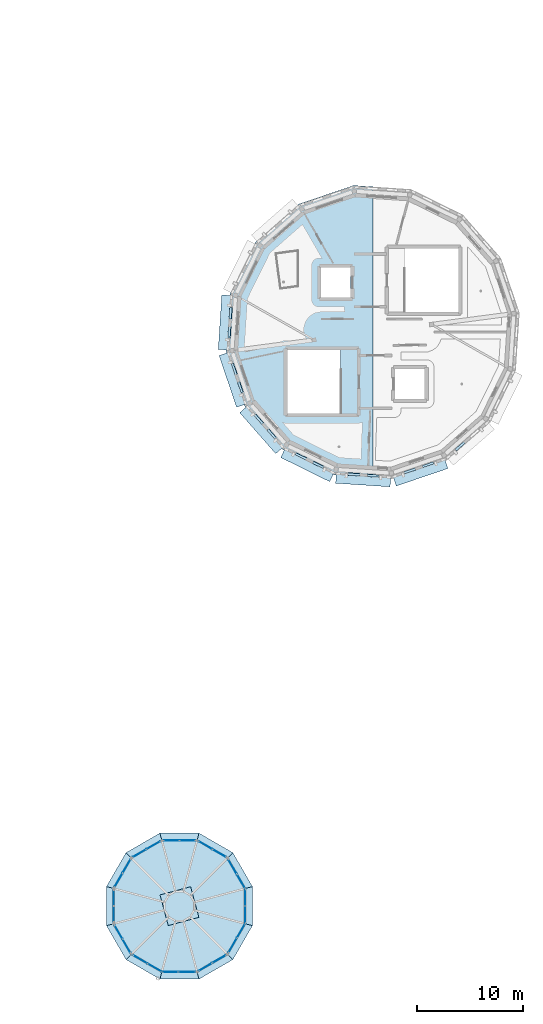
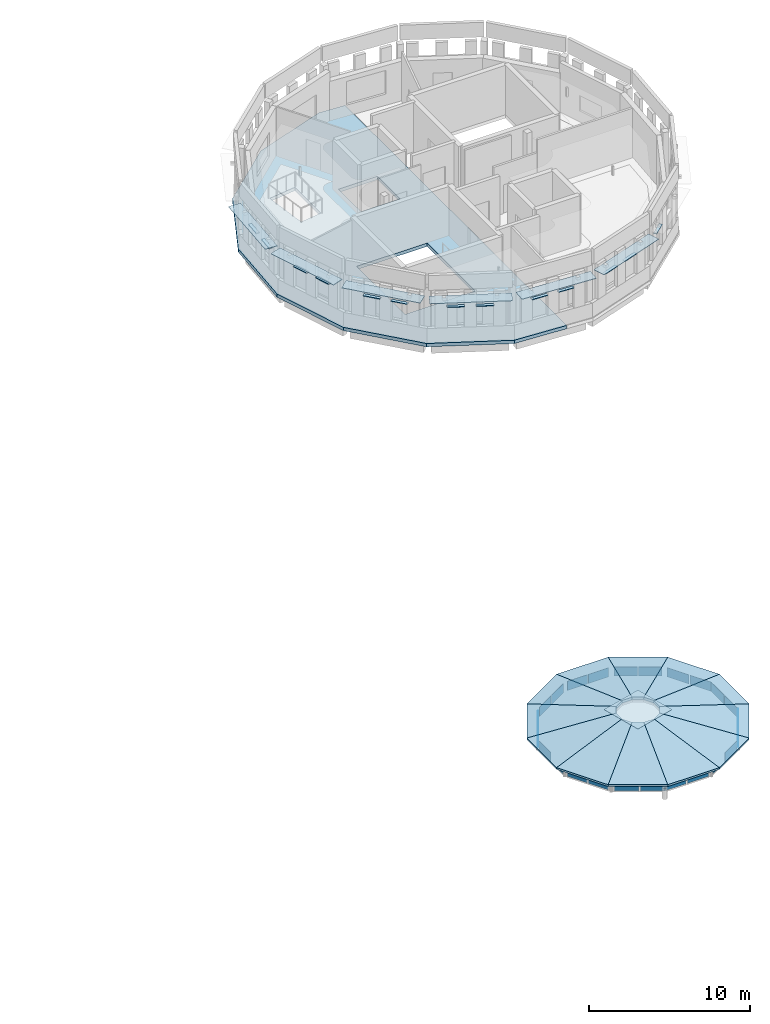
# One storey, part 6 of 18: 44 plates, 13 slabs, 12 elements without a shape of their own.
"""IFC4 building model written with IfcOpenShell, lengths in metres."""

from ifc_helpers import new_model, si_unit, direction, frame, origin, origin_2d, place, context, subcontext, project, spatial, polyline, rectangle, outline, extrude, material, layer, layer_set, type_object, element, aggregate, save


model = new_model("IFC4")

# Units and contexts
model_context = context("Model", 3, precision=1e-05, world=origin(), true_north=direction((0.0, 1.0)))
body_context = subcontext(model_context, "Body", "Model", "MODEL_VIEW")
ifc_project = project(units=[si_unit("LENGTHUNIT", "METRE"), si_unit("AREAUNIT", "SQUARE_METRE"), si_unit("VOLUMEUNIT", "CUBIC_METRE"), si_unit("PLANEANGLEUNIT", "RADIAN"), si_unit("MASSUNIT", "GRAM", prefix="KILO")], contexts=[model_context])

# Site, building, storey
site_placement = place(None, origin())
site = spatial("IfcSite", under=ifc_project, at=site_placement, CompositionType="ELEMENT")
building_placement = place(site_placement, origin())
building = spatial("IfcBuilding", under=site, at=building_placement, Name="Wrenclough Park School", CompositionType="ELEMENT")
storey_placement = place(building_placement, frame((0.0, 0.0, 20.800048828125)))
storey = spatial("IfcBuildingStorey", under=building, at=storey_placement, Name="L05", CompositionType="ELEMENT", Elevation=20.800048828125)

# Curtain wall, plates
ifc_material_1 = material(Name="Thermally broken aluminium and low-e glass curtain wall", Category="aluminium")
curtain_wall_type = type_object("IfcCurtainWallType", Name="ENV-CW-16", PredefinedType="USERDEFINED", material=ifc_material_1)
curtain_wall_1_placement = place(storey_placement, origin())
curtain_wall_1 = element("IfcCurtainWall", 1, at=curtain_wall_1_placement, inside=storey, type_object=curtain_wall_type, Name="D1-SH cylindrical white-glazed stair-head curtain wall 190", ObjectType="CURTAIN WALL", PredefinedType="USERDEFINED")
ifc_material_2 = material(Name="White ceramic-fritted translucent glass", Category="glass")
ifc_layer_1 = layer(ifc_material_2, 0.031982421875)
ifc_layer_set_1 = layer_set([ifc_layer_1], Name="White ceramic-fritted translucent glass")
plate_type_1 = type_object("IfcPlateType", Name="ENV-CWP-WH32", PredefinedType="CURTAIN_PANEL", material=ifc_layer_set_1)
plate_1_placement = place(storey_placement, frame((162.044677734375, 41.513427734375, 0.06005859375), z_axis=(0.0, 0.0, 1.0), x_axis=(-0.500014931062, 0.86601678316, 0.0)))
plate_1 = element("IfcPlate", 2, at=plate_1_placement, type_object=plate_type_1, Name="CW-16 panel 1.1", PredefinedType="CURTAIN_PANEL", context=body_context, shape_type="SweptSolid", body=[
    extrude(rectangle(XDim=1.5625, YDim=0.031982421875, at=origin_2d()), origin(), (0.0, 0.0, 1.0), 0.699951171875),
])
plate_2_placement = place(storey_placement, frame((161.2333984375, 42.918701171875, 0.06005859375), z_axis=(0.0, 0.0, 1.0), x_axis=(-0.500014931062, 0.86601678316, 0.0)))
plate_2 = element("IfcPlate", 3, at=plate_2_placement, type_object=plate_type_1, Name="CW-16 panel 2.1", PredefinedType="CURTAIN_PANEL", context=body_context, shape_type="SweptSolid", body=[
    extrude(rectangle(XDim=1.5625, YDim=0.031982421875, at=origin_2d()), origin(), (0.0, 0.0, 1.0), 0.699951171875),
])
aggregate(curtain_wall_1, [plate_1, plate_2])

curtain_wall_2_placement = place(storey_placement, origin())
curtain_wall_2 = element("IfcCurtainWall", 4, at=curtain_wall_2_placement, inside=storey, type_object=curtain_wall_type, Name="D1-SH cylindrical white-glazed stair-head curtain wall 191", ObjectType="CURTAIN WALL", PredefinedType="USERDEFINED")
plate_3_placement = place(storey_placement, frame((159.965087890625, 44.20654296875, 0.06005859375), z_axis=(0.0, 0.0, 1.0), x_axis=(-0.866023907196, 0.500002592159, 0.0)))
plate_3 = element("IfcPlate", 5, at=plate_3_placement, type_object=plate_type_1, Name="CW-16 panel 1.1", PredefinedType="CURTAIN_PANEL", context=body_context, shape_type="SweptSolid", body=[
    extrude(rectangle(XDim=1.455078125, YDim=0.031982421875, at=origin_2d()), origin(), (0.0, 0.0, 1.0), 0.699951171875),
])
plate_4_placement = place(storey_placement, frame((158.653076171875, 44.9638671875, 0.06005859375), z_axis=(0.0, 0.0, 1.0), x_axis=(-0.866023907196, 0.500002592159, 0.0)))
plate_4 = element("IfcPlate", 6, at=plate_4_placement, type_object=plate_type_1, Name="CW-16 panel 2.1", PredefinedType="CURTAIN_PANEL", context=body_context, shape_type="SweptSolid", body=[
    extrude(rectangle(XDim=1.455078125, YDim=0.031982421875, at=origin_2d()), origin(), (0.0, 0.0, 1.0), 0.699951171875),
])
aggregate(curtain_wall_2, [plate_3, plate_4])

curtain_wall_3_placement = place(storey_placement, origin())
curtain_wall_3 = element("IfcCurtainWall", 7, at=curtain_wall_3_placement, inside=storey, type_object=curtain_wall_type, Name="D1-SH cylindrical white-glazed stair-head curtain wall 192", ObjectType="CURTAIN WALL", PredefinedType="USERDEFINED")
plate_5_placement = place(storey_placement, frame((156.957275390625, 45.418212890625, 0.06005859375), z_axis=(0.0, 0.0, 1.0), x_axis=(-1.0, 0.0, 0.0)))
plate_5 = element("IfcPlate", 8, at=plate_5_placement, type_object=plate_type_1, Name="CW-16 panel 1.1", PredefinedType="CURTAIN_PANEL", context=body_context, shape_type="SweptSolid", body=[
    extrude(rectangle(XDim=1.454345703125, YDim=0.031982421875, at=origin_2d()), origin(), (0.0, 0.0, 1.0), 0.699951171875),
])
plate_6_placement = place(storey_placement, frame((155.44287109375, 45.418212890625, 0.06005859375), z_axis=(0.0, 0.0, 1.0), x_axis=(-1.0, 0.0, 0.0)))
plate_6 = element("IfcPlate", 9, at=plate_6_placement, type_object=plate_type_1, Name="CW-16 panel 2.1", PredefinedType="CURTAIN_PANEL", context=body_context, shape_type="SweptSolid", body=[
    extrude(rectangle(XDim=1.454345703125, YDim=0.031982421875, at=origin_2d()), origin(), (0.0, 0.0, 1.0), 0.699951171875),
])
aggregate(curtain_wall_3, [plate_5, plate_6])

curtain_wall_4_placement = place(storey_placement, origin())
curtain_wall_4 = element("IfcCurtainWall", 10, at=curtain_wall_4_placement, inside=storey, type_object=curtain_wall_type, Name="D1-SH cylindrical white-glazed stair-head curtain wall 193", ObjectType="CURTAIN WALL", PredefinedType="USERDEFINED")
plate_7_placement = place(storey_placement, frame((153.746826171875, 44.9638671875, 0.06005859375), z_axis=(0.0, 0.0, 1.0), x_axis=(-0.866023907196, -0.500002592159, 0.0)))
plate_7 = element("IfcPlate", 11, at=plate_7_placement, type_object=plate_type_1, Name="CW-16 panel 1.1", PredefinedType="CURTAIN_PANEL", context=body_context, shape_type="SweptSolid", body=[
    extrude(rectangle(XDim=1.455078125, YDim=0.031982421875, at=origin_2d()), origin(), (0.0, 0.0, 1.0), 0.699951171875),
])
plate_8_placement = place(storey_placement, frame((152.434814453125, 44.20654296875, 0.06005859375), z_axis=(0.0, 0.0, 1.0), x_axis=(-0.866023907196, -0.500002592159, 0.0)))
plate_8 = element("IfcPlate", 12, at=plate_8_placement, type_object=plate_type_1, Name="CW-16 panel 2.1", PredefinedType="CURTAIN_PANEL", context=body_context, shape_type="SweptSolid", body=[
    extrude(rectangle(XDim=1.455078125, YDim=0.031982421875, at=origin_2d()), origin(), (0.0, 0.0, 1.0), 0.699951171875),
])
aggregate(curtain_wall_4, [plate_7, plate_8])

curtain_wall_5_placement = place(storey_placement, origin())
curtain_wall_5 = element("IfcCurtainWall", 13, at=curtain_wall_5_placement, inside=storey, type_object=curtain_wall_type, Name="D1-SH cylindrical white-glazed stair-head curtain wall 194", ObjectType="CURTAIN WALL", PredefinedType="USERDEFINED")
plate_9_placement = place(storey_placement, frame((151.193603515625, 42.965087890625, 0.06005859375), z_axis=(0.0, 0.0, 1.0), x_axis=(-0.500002592159, -0.866023907196, 0.0)))
plate_9 = element("IfcPlate", 14, at=plate_9_placement, type_object=plate_type_1, Name="CW-16 panel 1.1", PredefinedType="CURTAIN_PANEL", context=body_context, shape_type="SweptSolid", body=[
    extrude(rectangle(XDim=1.455078125, YDim=0.031982421875, at=origin_2d()), origin(), (0.0, 0.0, 1.0), 0.699951171875),
])
plate_10_placement = place(storey_placement, frame((150.43603515625, 41.653076171875, 0.06005859375), z_axis=(0.0, 0.0, 1.0), x_axis=(-0.500002592159, -0.866023907196, 0.0)))
plate_10 = element("IfcPlate", 15, at=plate_10_placement, type_object=plate_type_1, Name="CW-16 panel 2.1", PredefinedType="CURTAIN_PANEL", context=body_context, shape_type="SweptSolid", body=[
    extrude(rectangle(XDim=1.455078125, YDim=0.031982421875, at=origin_2d()), origin(), (0.0, 0.0, 1.0), 0.699951171875),
])
aggregate(curtain_wall_5, [plate_9, plate_10])

curtain_wall_6_placement = place(storey_placement, origin())
curtain_wall_6 = element("IfcCurtainWall", 16, at=curtain_wall_6_placement, inside=storey, type_object=curtain_wall_type, Name="D1-SH cylindrical white-glazed stair-head curtain wall 195", ObjectType="CURTAIN WALL", PredefinedType="USERDEFINED")
plate_11_placement = place(storey_placement, frame((149.981689453125, 39.957275390625, 0.06005859375), z_axis=(0.0, 0.0, 1.0), x_axis=(0.0, -1.0, 0.0)))
plate_11 = element("IfcPlate", 17, at=plate_11_placement, type_object=plate_type_1, Name="CW-16 panel 1.1", PredefinedType="CURTAIN_PANEL", context=body_context, shape_type="SweptSolid", body=[
    extrude(rectangle(XDim=1.45458984375, YDim=0.031982421875, at=origin_2d()), origin(), (0.0, 0.0, 1.0), 0.699951171875),
])
plate_12_placement = place(storey_placement, frame((149.981689453125, 38.44287109375, 0.06005859375), z_axis=(0.0, 0.0, 1.0), x_axis=(0.0, -1.0, 0.0)))
plate_12 = element("IfcPlate", 18, at=plate_12_placement, type_object=plate_type_1, Name="CW-16 panel 2.1", PredefinedType="CURTAIN_PANEL", context=body_context, shape_type="SweptSolid", body=[
    extrude(rectangle(XDim=1.45458984375, YDim=0.031982421875, at=origin_2d()), origin(), (0.0, 0.0, 1.0), 0.699951171875),
])
aggregate(curtain_wall_6, [plate_11, plate_12])

curtain_wall_7_placement = place(storey_placement, origin())
curtain_wall_7 = element("IfcCurtainWall", 19, at=curtain_wall_7_placement, inside=storey, type_object=curtain_wall_type, Name="D1-SH cylindrical white-glazed stair-head curtain wall 196", ObjectType="CURTAIN WALL", PredefinedType="USERDEFINED")
plate_13_placement = place(storey_placement, frame((150.43603515625, 36.746826171875, 0.06005859375), z_axis=(0.0, 0.0, 1.0), x_axis=(0.500002592159, -0.866023907196, 0.0)))
plate_13 = element("IfcPlate", 20, at=plate_13_placement, type_object=plate_type_1, Name="CW-16 panel 1.1", PredefinedType="CURTAIN_PANEL", context=body_context, shape_type="SweptSolid", body=[
    extrude(rectangle(XDim=1.455078125, YDim=0.031982421875, at=origin_2d()), origin(), (0.0, 0.0, 1.0), 0.699951171875),
])
plate_14_placement = place(storey_placement, frame((151.193603515625, 35.434814453125, 0.06005859375), z_axis=(0.0, 0.0, 1.0), x_axis=(0.500002592159, -0.866023907196, 0.0)))
plate_14 = element("IfcPlate", 21, at=plate_14_placement, type_object=plate_type_1, Name="CW-16 panel 2.1", PredefinedType="CURTAIN_PANEL", context=body_context, shape_type="SweptSolid", body=[
    extrude(rectangle(XDim=1.455078125, YDim=0.031982421875, at=origin_2d()), origin(), (0.0, 0.0, 1.0), 0.699951171875),
])
aggregate(curtain_wall_7, [plate_13, plate_14])

curtain_wall_8_placement = place(storey_placement, origin())
curtain_wall_8 = element("IfcCurtainWall", 22, at=curtain_wall_8_placement, inside=storey, type_object=curtain_wall_type, Name="D1-SH cylindrical white-glazed stair-head curtain wall 197", ObjectType="CURTAIN WALL", PredefinedType="USERDEFINED")
plate_15_placement = place(storey_placement, frame((152.4814453125, 34.166748046875, 0.06005859375), z_axis=(0.0, 0.0, 1.0), x_axis=(0.86601678316, -0.500014931062, 0.0)))
plate_15 = element("IfcPlate", 23, at=plate_15_placement, type_object=plate_type_1, Name="CW-16 panel 1.1", PredefinedType="CURTAIN_PANEL", context=body_context, shape_type="SweptSolid", body=[
    extrude(rectangle(XDim=1.5625, YDim=0.031982421875, at=origin_2d()), origin(), (0.0, 0.0, 1.0), 0.699951171875),
])
plate_16_placement = place(storey_placement, frame((153.886474609375, 33.35546875, 0.06005859375), z_axis=(0.0, 0.0, 1.0), x_axis=(0.86601678316, -0.500014931062, 0.0)))
plate_16 = element("IfcPlate", 24, at=plate_16_placement, type_object=plate_type_1, Name="CW-16 panel 2.1", PredefinedType="CURTAIN_PANEL", context=body_context, shape_type="SweptSolid", body=[
    extrude(rectangle(XDim=1.5625, YDim=0.031982421875, at=origin_2d()), origin(), (0.0, 0.0, 1.0), 0.699951171875),
])
aggregate(curtain_wall_8, [plate_15, plate_16])

curtain_wall_9_placement = place(storey_placement, origin())
curtain_wall_9 = element("IfcCurtainWall", 25, at=curtain_wall_9_placement, inside=storey, type_object=curtain_wall_type, Name="D1-SH cylindrical white-glazed stair-head curtain wall 198", ObjectType="CURTAIN WALL", PredefinedType="USERDEFINED")
plate_17_placement = place(storey_placement, frame((155.281005859375, 32.981689453125, 0.06005859375), z_axis=(0.0, 0.0, 1.0), x_axis=(1.0, 0.0, 0.0)))
plate_17 = element("IfcPlate", 26, at=plate_17_placement, type_object=plate_type_1, Name="CW-16 panel 1.1", PredefinedType="CURTAIN_PANEL", context=body_context, shape_type="SweptSolid", body=[
    extrude(rectangle(XDim=1.562255859375, YDim=0.031982421875, at=origin_2d()), origin(), (0.0, 0.0, 1.0), 0.699951171875),
])
plate_18_placement = place(storey_placement, frame((156.9033203125, 32.981689453125, 0.06005859375), z_axis=(0.0, 0.0, 1.0), x_axis=(1.0, 0.0, 0.0)))
plate_18 = element("IfcPlate", 27, at=plate_18_placement, type_object=plate_type_1, Name="CW-16 panel 2.1", PredefinedType="CURTAIN_PANEL", context=body_context, shape_type="SweptSolid", body=[
    extrude(rectangle(XDim=1.562255859375, YDim=0.031982421875, at=origin_2d()), origin(), (0.0, 0.0, 1.0), 0.699951171875),
])
aggregate(curtain_wall_9, [plate_17, plate_18])

curtain_wall_10_placement = place(storey_placement, origin())
curtain_wall_10 = element("IfcCurtainWall", 28, at=curtain_wall_10_placement, inside=storey, type_object=curtain_wall_type, Name="D1-SH cylindrical white-glazed stair-head curtain wall 199", ObjectType="CURTAIN WALL", PredefinedType="USERDEFINED")
plate_19_placement = place(storey_placement, frame((158.653076171875, 33.43603515625, 0.06005859375), z_axis=(0.0, 0.0, 1.0), x_axis=(0.866023907196, 0.500002592159, 0.0)))
plate_19 = element("IfcPlate", 29, at=plate_19_placement, type_object=plate_type_1, Name="CW-16 panel 1.1", PredefinedType="CURTAIN_PANEL", context=body_context, shape_type="SweptSolid", body=[
    extrude(rectangle(XDim=1.455078125, YDim=0.031982421875, at=origin_2d()), origin(), (0.0, 0.0, 1.0), 0.699951171875),
])
plate_20_placement = place(storey_placement, frame((159.965087890625, 34.193603515625, 0.06005859375), z_axis=(0.0, 0.0, 1.0), x_axis=(0.866023907196, 0.500002592159, 0.0)))
plate_20 = element("IfcPlate", 30, at=plate_20_placement, type_object=plate_type_1, Name="CW-16 panel 2.1", PredefinedType="CURTAIN_PANEL", context=body_context, shape_type="SweptSolid", body=[
    extrude(rectangle(XDim=1.455078125, YDim=0.031982421875, at=origin_2d()), origin(), (0.0, 0.0, 1.0), 0.699951171875),
])
aggregate(curtain_wall_10, [plate_19, plate_20])

curtain_wall_11_placement = place(storey_placement, origin())
curtain_wall_11 = element("IfcCurtainWall", 31, at=curtain_wall_11_placement, inside=storey, type_object=curtain_wall_type, Name="D1-SH cylindrical white-glazed stair-head curtain wall 200", ObjectType="CURTAIN WALL", PredefinedType="USERDEFINED")
plate_21_placement = place(storey_placement, frame((161.2333984375, 35.4814453125, 0.06005859375), z_axis=(0.0, 0.0, 1.0), x_axis=(0.500014931062, 0.86601678316, 0.0)))
plate_21 = element("IfcPlate", 32, at=plate_21_placement, type_object=plate_type_1, Name="CW-16 panel 1.1", PredefinedType="CURTAIN_PANEL", context=body_context, shape_type="SweptSolid", body=[
    extrude(rectangle(XDim=1.5625, YDim=0.031982421875, at=origin_2d()), origin(), (0.0, 0.0, 1.0), 0.699951171875),
])
plate_22_placement = place(storey_placement, frame((162.044677734375, 36.886474609375, 0.06005859375), z_axis=(0.0, 0.0, 1.0), x_axis=(0.500014931062, 0.86601678316, 0.0)))
plate_22 = element("IfcPlate", 33, at=plate_22_placement, type_object=plate_type_1, Name="CW-16 panel 2.1", PredefinedType="CURTAIN_PANEL", context=body_context, shape_type="SweptSolid", body=[
    extrude(rectangle(XDim=1.5625, YDim=0.031982421875, at=origin_2d()), origin(), (0.0, 0.0, 1.0), 0.699951171875),
])
aggregate(curtain_wall_11, [plate_21, plate_22])

curtain_wall_12_placement = place(storey_placement, origin())
curtain_wall_12 = element("IfcCurtainWall", 34, at=curtain_wall_12_placement, inside=storey, type_object=curtain_wall_type, Name="D1-SH cylindrical white-glazed stair-head curtain wall 201", ObjectType="CURTAIN WALL", PredefinedType="USERDEFINED")
plate_23_placement = place(storey_placement, frame((162.418212890625, 38.3349609375, 0.06005859375), z_axis=(0.0, 0.0, 1.0), x_axis=(0.0, 1.0, 0.0)))
plate_23 = element("IfcPlate", 35, at=plate_23_placement, type_object=plate_type_1, Name="CW-16 panel 1.1", PredefinedType="CURTAIN_PANEL", context=body_context, shape_type="SweptSolid", body=[
    extrude(rectangle(XDim=1.669921875, YDim=0.031982421875, at=origin_2d()), origin(), (0.0, 0.0, 1.0), 0.699951171875),
])
plate_24_placement = place(storey_placement, frame((162.418212890625, 40.06494140625, 0.06005859375), z_axis=(0.0, 0.0, 1.0), x_axis=(0.0, 1.0, 0.0)))
plate_24 = element("IfcPlate", 36, at=plate_24_placement, type_object=plate_type_1, Name="CW-16 panel 2.1", PredefinedType="CURTAIN_PANEL", context=body_context, shape_type="SweptSolid", body=[
    extrude(rectangle(XDim=1.669921875, YDim=0.031982421875, at=origin_2d()), origin(), (0.0, 0.0, 1.0), 0.699951171875),
])
aggregate(curtain_wall_12, [plate_23, plate_24])

# Plates
ifc_material_3 = material(Name="Anodised architectural aluminium solar shading fin plate", Category="aluminium")
ifc_layer_2 = layer(ifc_material_3, 0.0380859375)
ifc_layer_set_2 = layer_set([ifc_layer_2], Name="Anodised architectural aluminium solar shading fin plate")
plate_type_2 = type_object("IfcPlateType", Name="ENV-PL-BSF", PredefinedType="SHEET", material=ifc_layer_set_2)
for number, where, z_axis, x_axis, name in (
    (37, (161.03759765625, 95.294677734375, 2.60595703125), (0.0, 0.0, 1.0), (-0.065390212583, -0.997859769756, 0.0), "D5 L05 open-bond brick screen tie band 0747"),
    (38, (160.91845703125, 93.477783203125, 2.60595703125), (0.0, 0.0, 1.0), (-0.065390212583, -0.997859769756, 0.0), "D5 L05 open-bond brick screen tie band 0748"),
):
    element("IfcPlate", number, at=place(storey_placement, frame(where, z_axis=z_axis, x_axis=x_axis)), inside=storey, type_object=plate_type_2, Name=name, PredefinedType="SHEET", context=body_context, shape_type="SweptSolid", body=[
        extrude(rectangle(XDim=1.11083984375, YDim=0.219970703125, at=origin_2d()), origin(), (0.0, 0.0, 1.0), 0.0419921875),
    ])
plate_25_placement = place(storey_placement, frame((160.461669921875, 94.420166015625, 3.5009765625), z_axis=(0.0, 0.0, 1.0), x_axis=(-0.065390212583, -0.997859769756, 0.0)))
element("IfcPlate", 39, at=plate_25_placement, inside=storey, type_object=plate_type_2, Name="D5 L05 sun-side projecting brise-soleil blade 0146", PredefinedType="SHEET", context=body_context, shape_type="SweptSolid", body=[
    extrude(rectangle(XDim=5.16259765625, YDim=0.85009765625, at=origin_2d()), origin(), (0.0, 0.0, 1.0), 0.0380859375),
])
for number, where, z_axis, x_axis, name in (
    (40, (161.37548828125, 90.00634765625, 2.60595703125), (0.0, 0.0, 1.0), (0.321429435697, -0.946933534028, 0.0), "D5 L05 open-bond brick screen tie band 0749"),
    (41, (161.960693359375, 88.281982421875, 2.60595703125), (0.0, 0.0, 1.0), (0.321429435697, -0.946933534028, 0.0), "D5 L05 open-bond brick screen tie band 0750"),
):
    element("IfcPlate", number, at=place(storey_placement, frame(where, z_axis=z_axis, x_axis=x_axis)), inside=storey, type_object=plate_type_2, Name=name, PredefinedType="SHEET", context=body_context, shape_type="SweptSolid", body=[
        extrude(rectangle(XDim=1.11083984375, YDim=0.219970703125, at=origin_2d()), origin(), (0.0, 0.0, 1.0), 0.0419921875),
    ])
plate_26_placement = place(storey_placement, frame((161.177978515625, 88.977783203125, 3.5009765625), z_axis=(0.0, 0.0, 1.0), x_axis=(0.321429435697, -0.946933534028, 0.0)))
element("IfcPlate", 42, at=plate_26_placement, inside=storey, type_object=plate_type_2, Name="D5 L05 sun-side projecting brise-soleil blade 0147", PredefinedType="SHEET", context=body_context, shape_type="SweptSolid", body=[
    extrude(rectangle(XDim=5.16259765625, YDim=0.85009765625, at=origin_2d()), origin(), (0.0, 0.0, 1.0), 0.0380859375),
])
for number, where, z_axis, x_axis, name in (
    (43, (163.71142578125, 85.249755859375, 2.60595703125), (0.0, 0.0, 1.0), (0.659350509406, -0.751835690657, 0.0), "D5 L05 open-bond brick screen tie band 0751"),
    (44, (164.912109375, 83.880859375, 2.60595703125), (0.0, 0.0, 1.0), (0.659350509406, -0.751835690657, 0.0), "D5 L05 open-bond brick screen tie band 0752"),
):
    element("IfcPlate", number, at=place(storey_placement, frame(where, z_axis=z_axis, x_axis=x_axis)), inside=storey, type_object=plate_type_2, Name=name, PredefinedType="SHEET", context=body_context, shape_type="SweptSolid", body=[
        extrude(rectangle(XDim=1.11083984375, YDim=0.219970703125, at=origin_2d()), origin(), (0.0, 0.0, 1.0), 0.0419921875),
    ])
plate_27_placement = place(storey_placement, frame((163.922607421875, 84.22412109375, 3.5009765625), z_axis=(0.0, 0.0, 1.0), x_axis=(0.659350509406, -0.751835690657, 0.0)))
element("IfcPlate", 45, at=plate_27_placement, inside=storey, type_object=plate_type_2, Name="D5 L05 sun-side projecting brise-soleil blade 0148", PredefinedType="SHEET", context=body_context, shape_type="SweptSolid", body=[
    extrude(rectangle(XDim=5.16259765625, YDim=0.85009765625, at=origin_2d()), origin(), (0.0, 0.0, 1.0), 0.0380859375),
])
for number, where, z_axis, x_axis, name in (
    (46, (167.68994140625, 81.7490234375, 2.60595703125), (0.0, 0.0, 1.0), (0.896866792014, -0.442300754444, 0.0), "D5 L05 open-bond brick screen tie band 0753"),
    (47, (169.322998046875, 80.94384765625, 2.60595703125), (0.0, 0.0, 1.0), (0.896866792014, -0.442300754444, 0.0), "D5 L05 open-bond brick screen tie band 0754"),
):
    element("IfcPlate", number, at=place(storey_placement, frame(where, z_axis=z_axis, x_axis=x_axis)), inside=storey, type_object=plate_type_2, Name=name, PredefinedType="SHEET", context=body_context, shape_type="SweptSolid", body=[
        extrude(rectangle(XDim=1.11083984375, YDim=0.219970703125, at=origin_2d()), origin(), (0.0, 0.0, 1.0), 0.0419921875),
    ])
plate_28_placement = place(storey_placement, frame((168.277587890625, 80.88232421875, 3.5009765625), z_axis=(0.0, 0.0, 1.0), x_axis=(0.896866792014, -0.442300754444, 0.0)))
element("IfcPlate", 48, at=plate_28_placement, inside=storey, type_object=plate_type_2, Name="D5 L05 sun-side projecting brise-soleil blade 0149", PredefinedType="SHEET", context=body_context, shape_type="SweptSolid", body=[
    extrude(rectangle(XDim=5.16259765625, YDim=0.85009765625, at=origin_2d()), origin(), (0.0, 0.0, 1.0), 0.0380859375),
])
for number, where, z_axis, x_axis, name in (
    (49, (172.705322265625, 80.03759765625, 2.60595703125), (0.0, 0.0, 1.0), (0.997859769756, -0.065390212583, 0.0), "D5 L05 open-bond brick screen tie band 0755"),
    (50, (174.522216796875, 79.91845703125, 2.60595703125), (0.0, 0.0, 1.0), (0.997859769756, -0.065390212583, 0.0), "D5 L05 open-bond brick screen tie band 0756"),
):
    element("IfcPlate", number, at=place(storey_placement, frame(where, z_axis=z_axis, x_axis=x_axis)), inside=storey, type_object=plate_type_2, Name=name, PredefinedType="SHEET", context=body_context, shape_type="SweptSolid", body=[
        extrude(rectangle(XDim=1.11083984375, YDim=0.219970703125, at=origin_2d()), origin(), (0.0, 0.0, 1.0), 0.0419921875),
    ])
plate_29_placement = place(storey_placement, frame((173.579833984375, 79.461669921875, 3.5009765625), z_axis=(0.0, 0.0, 1.0), x_axis=(0.997859769756, -0.065390212583, 0.0)))
element("IfcPlate", 51, at=plate_29_placement, inside=storey, type_object=plate_type_2, Name="D5 L05 sun-side projecting brise-soleil blade 0150", PredefinedType="SHEET", context=body_context, shape_type="SweptSolid", body=[
    extrude(rectangle(XDim=5.16259765625, YDim=0.85009765625, at=origin_2d()), origin(), (0.0, 0.0, 1.0), 0.0380859375),
])
for number, where, z_axis, x_axis, name in (
    (52, (177.99365234375, 80.37548828125, 2.60595703125), (0.0, 0.0, 1.0), (0.946933534028, 0.321429435697, 0.0), "D5 L05 open-bond brick screen tie band 0757"),
    (53, (179.718017578125, 80.960693359375, 2.60595703125), (0.0, 0.0, 1.0), (0.946933534028, 0.321429435697, 0.0), "D5 L05 open-bond brick screen tie band 0758"),
):
    element("IfcPlate", number, at=place(storey_placement, frame(where, z_axis=z_axis, x_axis=x_axis)), inside=storey, type_object=plate_type_2, Name=name, PredefinedType="SHEET", context=body_context, shape_type="SweptSolid", body=[
        extrude(rectangle(XDim=1.11083984375, YDim=0.219970703125, at=origin_2d()), origin(), (0.0, 0.0, 1.0), 0.0419921875),
    ])
plate_30_placement = place(storey_placement, frame((179.022216796875, 80.177978515625, 3.5009765625), z_axis=(0.0, 0.0, 1.0), x_axis=(0.946933534028, 0.321429435697, 0.0)))
element("IfcPlate", 54, at=plate_30_placement, inside=storey, type_object=plate_type_2, Name="D5 L05 sun-side projecting brise-soleil blade 0151", PredefinedType="SHEET", context=body_context, shape_type="SweptSolid", body=[
    extrude(rectangle(XDim=5.16259765625, YDim=0.85009765625, at=origin_2d()), origin(), (0.0, 0.0, 1.0), 0.0380859375),
])
plate_31_placement = place(storey_placement, frame((182.750244140625, 82.71142578125, 2.60595703125), z_axis=(0.0, 0.0, 1.0), x_axis=(0.751835690657, 0.659350509406, 0.0)))
element("IfcPlate", 55, at=plate_31_placement, inside=storey, type_object=plate_type_2, Name="D5 L05 open-bond brick screen tie band 0759", PredefinedType="SHEET", context=body_context, shape_type="SweptSolid", body=[
    extrude(rectangle(XDim=1.11083984375, YDim=0.219970703125, at=origin_2d()), origin(), (0.0, 0.0, 1.0), 0.0419921875),
])
ifc_material_4 = material(Name="White ceramic-fritted laminated skylight glass", Category="glass")
ifc_layer_3 = layer(ifc_material_4, 0.035888671875)
ifc_layer_set_3 = layer_set([ifc_layer_3], Name="White ceramic-fritted laminated skylight glass")
plate_type_3 = type_object("IfcPlateType", Name="ENV-PL-SK32", PredefinedType="SHEET", material=ifc_layer_set_3)
plate_32_placement = place(storey_placement, frame((156.199951171875, 39.199951171875, 1.83203125), z_axis=(0.0, 0.0, 1.0), x_axis=(0.965925826289, 0.258819045103, 0.0)))
element("IfcPlate", 56, at=plate_32_placement, inside=storey, type_object=plate_type_3, Name="D1-SH cylindrical stair-head central oculus skylight", PredefinedType="SHEET", context=body_context, shape_type="SweptSolid", body=[
    extrude(rectangle(XDim=3.0, YDim=3.0, at=origin_2d()), origin(), (0.0, 0.0, 1.0), 0.035888671875),
])

# Slabs
ifc_material_5 = material(Name="Concrete C32/40", Category="concrete")
ifc_layer_4 = layer(ifc_material_5, 0.25)
ifc_layer_set_4 = layer_set([ifc_layer_4], Name="Concrete C32/40")
slab_type_1 = type_object("IfcSlabType", Name="STR-SL-FL250", PredefinedType="FLOOR", material=ifc_layer_set_4)
slab_1_placement = place(storey_placement, frame((0.0, 0.0, -0.25)))
element("IfcSlab", 57, at=slab_1_placement, inside=storey, type_object=slab_type_1, Name="D5 L05 structural slab SLAB-D5-L05-W", PredefinedType="FLOOR", context=body_context, shape_type="SweptSolid", body=[
    extrude(outline(polyline([(170.87646484375, 79.97705078125), (174.493896484375, 79.739990234375), (174.493896484375, 107.2607421875), (172.672607421875, 107.380126953125), (167.5, 105.62451171875), (163.39306640625, 102.022705078125), (160.97705078125, 97.12353515625), (160.619873046875, 91.672607421875), (162.37548828125, 86.5), (165.977294921875, 82.39306640625), (170.87646484375, 79.97705078125)]), holes=[polyline([(165.822509765625, 97.704833984375), (167.35009765625, 97.906005859375), (167.35009765625, 101.133544921875), (165.40478515625, 100.87744140625), (165.822509765625, 97.704833984375)]), polyline([(166.39990234375, 85.800048828125), (171.451904296875, 85.800048828125), (171.451904296875, 91.800048828125), (166.39990234375, 91.800048828125), (166.39990234375, 85.800048828125)]), polyline([(169.60009765625, 96.800048828125), (172.39990234375, 96.800048828125), (172.39990234375, 99.60009765625), (169.60009765625, 99.60009765625), (169.60009765625, 96.800048828125)])]), origin(), (0.0, 0.0, 1.0), 0.25),
])
ifc_layer_5 = layer(ifc_material_5, 0.1650390625)
ifc_layer_set_5 = layer_set([ifc_layer_5], Name="Concrete C32/40")
slab_type_2 = type_object("IfcSlabType", Name="STR-SL-RF165", PredefinedType="ROOF", material=ifc_layer_set_5)
slab_2_placement = place(storey_placement, frame((163.1064453125, 41.050537109375, 1.0), z_axis=(0.130988740266, 0.075623053616, 0.988495373629), x_axis=(-0.499998090527, 0.866026506213, 2.580792e-06)))
element("IfcSlab", 58, at=slab_2_placement, inside=storey, type_object=slab_type_2, Name="D1-SH radial skylit drum roof facet 1", PredefinedType="ROOF", context=body_context, shape_type="SweptSolid", body=[
    extrude(outline(polyline([(0.0, 0.0), (3.7011834780905906, 0.0), (2.21294415897688, 5.618787465652977), (1.4882001858776364, 5.618862985101633), (0.0, 0.0)])), origin(), (0.0, 0.0, -1.0), 0.1650390625),
])
slab_3_placement = place(storey_placement, frame((161.255859375, 44.255859375, 1.0), z_axis=(0.075623053616, 0.130988740266, 0.988495373629), x_axis=(-0.866026506213, 0.499998090527, -2.580792e-06)))
element("IfcSlab", 59, at=slab_3_placement, inside=storey, type_object=slab_type_2, Name="D1-SH radial skylit drum roof facet 2", PredefinedType="ROOF", context=body_context, shape_type="SweptSolid", body=[
    extrude(outline(polyline([(0.0, 0.0), (3.7011834780905906, 0.0), (2.2129832922129546, 5.618862985101634), (1.488239319113711, 5.618787465652978), (0.0, 0.0)])), origin(), (0.0, 0.0, -1.0), 0.1650390625),
])
slab_4_placement = place(storey_placement, frame((158.050537109375, 46.1064453125, 1.0), z_axis=(0.0, 0.151250665018, 0.988495440724), x_axis=(-1.0, 0.0, 0.0)))
element("IfcSlab", 60, at=slab_4_placement, inside=storey, type_object=slab_type_2, Name="D1-SH radial skylit drum roof facet 3", PredefinedType="ROOF", context=body_context, shape_type="SweptSolid", body=[
    extrude(outline(polyline([(0.0, 0.0), (3.701171875, 0.0), (2.212890625, 5.618841514011877), (1.48828125, 5.618841514011877), (0.0, 0.0)])), origin(), (0.0, 0.0, -1.0), 0.1650390625),
])
slab_5_placement = place(storey_placement, frame((154.349365234375, 46.1064453125, 1.0), z_axis=(-0.075630279511, 0.130984568376, 0.98849537362), x_axis=(-0.866009760465, -0.500027094044, -7.35616e-07)))
element("IfcSlab", 61, at=slab_5_placement, inside=storey, type_object=slab_type_2, Name="D1-SH radial skylit drum roof facet 4", PredefinedType="ROOF", context=body_context, shape_type="SweptSolid", body=[
    extrude(outline(polyline([(0.0, 0.0), (3.7009720479110197, 0.0), (2.212915923091412, 5.6188359848466565), (1.4883833811096194, 5.618814461211009), (0.0, 0.0)])), origin(), (0.0, 0.0, -1.0), 0.1650390625),
])
slab_6_placement = place(storey_placement, frame((151.144287109375, 44.255859375, 1.0), z_axis=(-0.130987563675, 0.075630717498, 0.988494943201), x_axis=(-0.499999036973, -0.866025959775, 4.561497e-06)))
element("IfcSlab", 62, at=slab_6_placement, inside=storey, type_object=slab_type_2, Name="D1-SH radial skylit drum roof facet 5", PredefinedType="ROOF", context=body_context, shape_type="SweptSolid", body=[
    extrude(outline(polyline([(0.0, 0.0), (3.7011834780637978, 0.0), (2.213105362158789, 5.6186539853976685), (1.488239319070899, 5.618787465646668), (0.0, 0.0)])), origin(), (0.0, 0.0, -1.0), 0.1650390625),
])
slab_7_placement = place(storey_placement, frame((149.293701171875, 41.050537109375, 1.0), z_axis=(-0.151257161581, 0.0, 0.988494446656), x_axis=(0.0, -1.0, 0.0)))
element("IfcSlab", 63, at=slab_7_placement, inside=storey, type_object=slab_type_2, Name="D1-SH radial skylit drum roof facet 6", PredefinedType="ROOF", context=body_context, shape_type="SweptSolid", body=[
    extrude(outline(polyline([(0.0, 0.0), (3.701171875, 0.0), (2.212890625, 5.618600182238513), (1.48828125, 5.618600182238513), (0.0, 0.0)])), origin(), (0.0, 0.0, -1.0), 0.1650390625),
])
slab_8_placement = place(storey_placement, frame((149.293701171875, 37.349365234375, 1.0), z_axis=(-0.130983391392, -0.075637943876, 0.988494943146), x_axis=(0.500028040537, -0.866009213932, -7.878421e-06)))
element("IfcSlab", 64, at=slab_8_placement, inside=storey, type_object=slab_type_2, Name="D1-SH radial skylit drum roof facet 7", PredefinedType="ROOF", context=body_context, shape_type="SweptSolid", body=[
    extrude(outline(polyline([(0.0, 0.0), (3.7009720477944965, 0.0), (2.2129159231610847, 5.618835984819218), (1.4882613040199717, 5.618605465508227), (0.0, 0.0)])), origin(), (0.0, 0.0, -1.0), 0.1650390625),
])
slab_9_placement = place(storey_placement, frame((151.144287109375, 34.144287109375, 1.0), z_axis=(-0.075637943876, -0.130983391392, 0.988494943146), x_axis=(0.866009213932, -0.500028040537, 7.878421e-06)))
element("IfcSlab", 65, at=slab_9_placement, inside=storey, type_object=slab_type_2, Name="D1-SH radial skylit drum roof facet 8", PredefinedType="ROOF", context=body_context, shape_type="SweptSolid", body=[
    extrude(outline(polyline([(0.0, 0.0), (3.7009720477944965, 0.0), (2.212710743774526, 5.618605465508227), (1.4880561246334116, 5.618835984819218), (0.0, 0.0)])), origin(), (0.0, 0.0, -1.0), 0.1650390625),
])
slab_10_placement = place(storey_placement, frame((154.349365234375, 32.293701171875, 1.0), z_axis=(0.0, -0.151257161581, 0.988494446656), x_axis=(1.0, 0.0, 0.0)))
element("IfcSlab", 66, at=slab_10_placement, inside=storey, type_object=slab_type_2, Name="D1-SH radial skylit drum roof facet 9", PredefinedType="ROOF", context=body_context, shape_type="SweptSolid", body=[
    extrude(outline(polyline([(0.0, 0.0), (3.701171875, 0.0), (2.212890625, 5.618600182238513), (1.48828125, 5.618600182238513), (0.0, 0.0)])), origin(), (0.0, 0.0, -1.0), 0.1650390625),
])
slab_11_placement = place(storey_placement, frame((158.050537109375, 32.293701171875, 1.0), z_axis=(0.075630717498, -0.130987563675, 0.988494943201), x_axis=(0.866025959775, 0.499999036973, -4.561497e-06)))
element("IfcSlab", 67, at=slab_11_placement, inside=storey, type_object=slab_type_2, Name="D1-SH radial skylit drum roof facet 10", PredefinedType="ROOF", context=body_context, shape_type="SweptSolid", body=[
    extrude(outline(polyline([(0.0, 0.0), (3.7011834780637978, 0.0), (2.212944158992899, 5.618787465646668), (1.4880781159050094, 5.618653985397669), (0.0, 0.0)])), origin(), (0.0, 0.0, -1.0), 0.1650390625),
])
slab_12_placement = place(storey_placement, frame((161.255859375, 34.144287109375, 1.0), z_axis=(0.130984568376, -0.075630279511, 0.98849537362), x_axis=(0.500027094044, 0.866009760465, 7.35616e-07)))
element("IfcSlab", 68, at=slab_12_placement, inside=storey, type_object=slab_type_2, Name="D1-SH radial skylit drum roof facet 11", PredefinedType="ROOF", context=body_context, shape_type="SweptSolid", body=[
    extrude(outline(polyline([(0.0, 0.0), (3.7009720479110197, 0.0), (2.212588666801401, 5.618814461211009), (1.488056124819608, 5.6188359848466565), (0.0, 0.0)])), origin(), (0.0, 0.0, -1.0), 0.1650390625),
])
slab_13_placement = place(storey_placement, frame((163.1064453125, 37.349365234375, 1.0), z_axis=(0.151250665018, 0.0, 0.988495440724), x_axis=(0.0, 1.0, 0.0)))
element("IfcSlab", 69, at=slab_13_placement, inside=storey, type_object=slab_type_2, Name="D1-SH radial skylit drum roof facet 12", PredefinedType="ROOF", context=body_context, shape_type="SweptSolid", body=[
    extrude(outline(polyline([(0.0, 0.0), (3.701171875, 0.0), (2.212890625, 5.618841514011877), (1.48828125, 5.618841514011877), (0.0, 0.0)])), origin(), (0.0, 0.0, -1.0), 0.1650390625),
])

save(model, "model.ifc")
